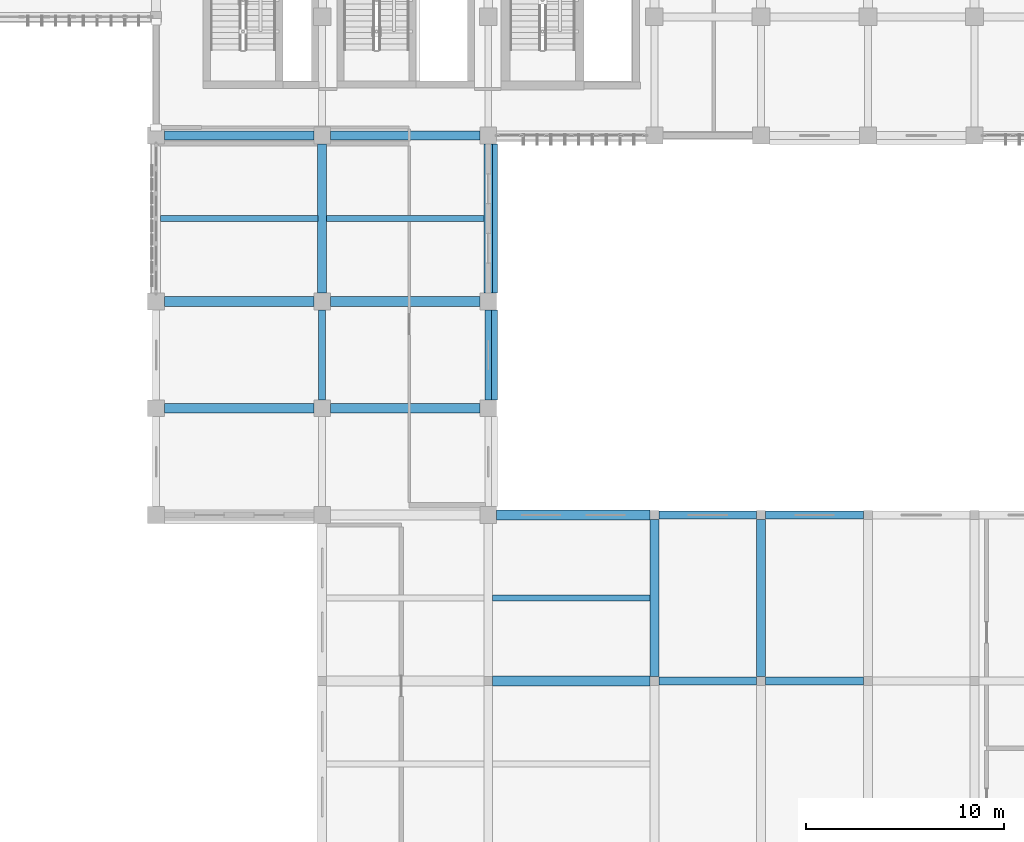
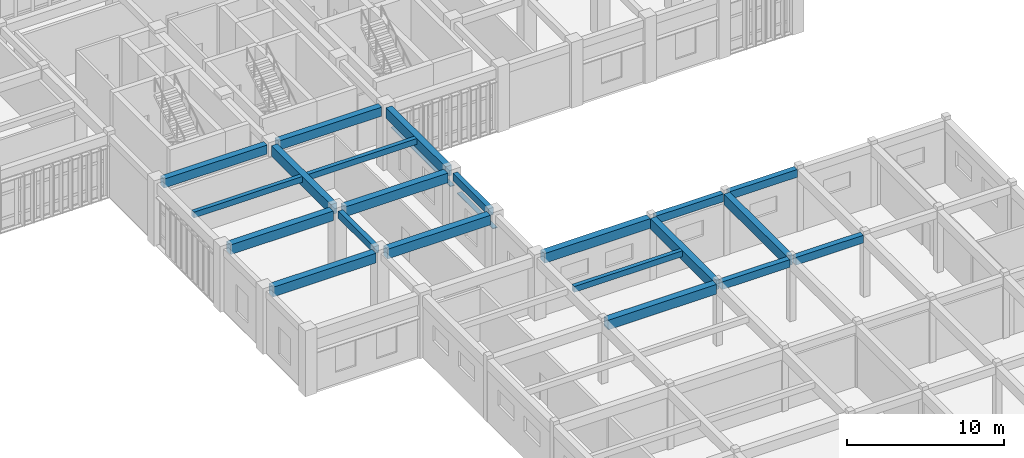
# One storey, part 58 of 106: 21 beams, 2 members.
"""IFC4 building model written with IfcOpenShell, lengths in metres."""

from ifc_helpers import new_model, si_unit, direction, frame, origin, origin_2d, place, context, subcontext, project, spatial, rectangle, hollow_rectangle, extrude, material, material_profile, profile_set, type_object, element, save


model = new_model("IFC4")

# Units and contexts
model_context = context("Model", 3, precision=1e-05, world=origin(), true_north=direction((0.0, 1.0)))
body_context = subcontext(model_context, "Body", "Model", "MODEL_VIEW")
ifc_project = project(units=[si_unit("LENGTHUNIT", "METRE"), si_unit("AREAUNIT", "SQUARE_METRE"), si_unit("VOLUMEUNIT", "CUBIC_METRE"), si_unit("PLANEANGLEUNIT", "RADIAN"), si_unit("MASSUNIT", "GRAM", prefix="KILO")], contexts=[model_context])

# Site, building, storey
site_placement = place(None, origin())
site = spatial("IfcSite", under=ifc_project, at=site_placement, CompositionType="ELEMENT")
building_placement = place(site_placement, origin())
building = spatial("IfcBuilding", under=site, at=building_placement, Name="Krzemoval Escarpment Law Courts", CompositionType="ELEMENT")
storey_placement = place(building_placement, frame((0.0, 0.0, 5.10009765625)))
storey = spatial("IfcBuildingStorey", under=building, at=storey_placement, Name="L01", CompositionType="ELEMENT", Elevation=5.10009765625)

# Beams
ifc_material_1 = material(Name="Concrete C40/50", Category="concrete")
ifc_material_profile_1 = material_profile(ifc_material_1, rectangle(XDim=0.35009765625, YDim=0.550048828125, at=origin_2d()), Name="RCB 350x550")
ifc_profile_set_1 = profile_set([ifc_material_profile_1], Name="Concrete C40/50")
beam_type_1 = type_object("IfcBeamType", Name="BM-RC-350x550", PredefinedType="BEAM", material=ifc_profile_set_1)
for number, where, z_axis, x_axis, name in (
    (1, (134.39990234375, 80.22509765625, 4.544921875), (0.0, 1.0, 0.0), (-1.0, 0.0, 0.0), "Beam FG-L01-1530"),
    (2, (142.800048828125, 80.22509765625, 4.544921875), (0.0, 1.0, 0.0), (-1.0, 0.0, 0.0), "Beam FG-L01-1546"),
):
    element("IfcBeam", number, at=place(storey_placement, frame(where, z_axis=z_axis, x_axis=x_axis)), inside=storey, type_object=beam_type_1, Name=name, PredefinedType="BEAM", context=body_context, shape_type="SweptSolid", body=[
        extrude(rectangle(XDim=0.35009765625, YDim=0.550048828125, at=origin_2d()), origin(), (0.0, 0.0, 1.0), 4.5498046875),
    ])
ifc_material_2 = material(Name="Concrete C40/50", Category="concrete")
ifc_material_profile_2 = material_profile(ifc_material_2, rectangle(XDim=0.39990234375, YDim=0.60009765625, at=origin_2d()), Name="RCB 400x600")
ifc_profile_set_2 = profile_set([ifc_material_profile_2], Name="Concrete C40/50")
beam_type_2 = type_object("IfcBeamType", Name="BM-RC-400x600", PredefinedType="BEAM", material=ifc_profile_set_2)
for number, where, z_axis, x_axis, name in (
    (3, (151.425048828125, 66.0, 4.52001953125), (1.0, 0.0, 0.0), (0.0, 1.0, 0.0), "Beam FG-L01-1267"),
    (4, (156.824951171875, 66.0, 4.52001953125), (1.0, 0.0, 0.0), (0.0, 1.0, 0.0), "Beam FG-L01-1268"),
    (5, (151.425048828125, 74.39990234375, 4.52001953125), (1.0, 0.0, 0.0), (0.0, 1.0, 0.0), "Beam FG-L01-1276"),
    (6, (156.824951171875, 74.39990234375, 4.52001953125), (1.0, 0.0, 0.0), (0.0, 1.0, 0.0), "Beam FG-L01-1277"),
):
    element("IfcBeam", number, at=place(storey_placement, frame(where, z_axis=z_axis, x_axis=x_axis)), inside=storey, type_object=beam_type_2, Name=name, PredefinedType="BEAM", context=body_context, shape_type="SweptSolid", body=[
        extrude(rectangle(XDim=0.39990234375, YDim=0.60009765625, at=origin_2d()), origin(), (0.0, 0.0, 1.0), 4.949951171875),
    ])
ifc_material_3 = material(Name="Concrete C40/50", Category="concrete")
ifc_material_profile_3 = material_profile(ifc_material_3, rectangle(XDim=0.449951171875, YDim=0.699951171875, at=origin_2d()), Name="RCB 450x700")
ifc_profile_set_3 = profile_set([ifc_material_profile_3], Name="Concrete C40/50")
beam_type_3 = type_object("IfcBeamType", Name="BM-RC-450x700", PredefinedType="BEAM", material=ifc_profile_set_3)
for number, where, z_axis, x_axis, name in (
    (7, (126.425048828125, 93.60009765625, 4.469970703125), (1.0, 0.0, 0.0), (0.0, 1.0, 0.0), "Beam FG-L01-1292"),
    (8, (134.824951171875, 93.60009765625, 4.469970703125), (1.0, 0.0, 0.0), (0.0, 1.0, 0.0), "Beam FG-L01-1293"),
):
    element("IfcBeam", number, at=place(storey_placement, frame(where, z_axis=z_axis, x_axis=x_axis)), inside=storey, type_object=beam_type_3, Name=name, PredefinedType="BEAM", context=body_context, shape_type="SweptSolid", body=[
        extrude(rectangle(XDim=0.449951171875, YDim=0.699951171875, at=origin_2d()), origin(), (0.0, 0.0, 1.0), 7.550048828125),
    ])
ifc_material_4 = material(Name="Concrete C40/50", Category="concrete")
ifc_material_profile_4 = material_profile(ifc_material_4, rectangle(XDim=0.449951171875, YDim=0.800048828125, at=origin_2d()), Name="RCB 450x800")
ifc_profile_set_4 = profile_set([ifc_material_profile_4], Name="Concrete C40/50")
beam_type_4 = type_object("IfcBeamType", Name="BM-RC-450x800", PredefinedType="BEAM", material=ifc_profile_set_4)
for number, where, z_axis, x_axis, name in (
    (9, (134.39990234375, 85.625, 4.419921875), (0.0, 1.0, 0.0), (-1.0, 0.0, 0.0), "Beam FG-L01-1531"),
    (10, (142.800048828125, 85.625, 4.419921875), (0.0, 1.0, 0.0), (-1.0, 0.0, 0.0), "Beam FG-L01-1547"),
):
    element("IfcBeam", number, at=place(storey_placement, frame(where, z_axis=z_axis, x_axis=x_axis)), inside=storey, type_object=beam_type_4, Name=name, PredefinedType="BEAM", context=body_context, shape_type="SweptSolid", body=[
        extrude(rectangle(XDim=0.449951171875, YDim=0.800048828125, at=origin_2d()), origin(), (0.0, 0.0, 1.0), 7.550048828125),
    ])
for number, where, z_axis, x_axis, name in (
    (11, (151.199951171875, 66.22509765625, 4.419921875), (0.0, 1.0, 0.0), (-1.0, 0.0, 0.0), "Beam FG-L01-1559"),
    (12, (156.60009765625, 66.22509765625, 4.419921875), (0.0, 1.0, 0.0), (-1.0, 0.0, 0.0), "Beam FG-L01-1567"),
):
    element("IfcBeam", number, at=place(storey_placement, frame(where, z_axis=z_axis, x_axis=x_axis)), inside=storey, type_object=beam_type_4, Name=name, PredefinedType="BEAM", context=body_context, shape_type="SweptSolid", body=[
        extrude(rectangle(XDim=0.449951171875, YDim=0.800048828125, at=origin_2d()), origin(), (0.0, 0.0, 1.0), 7.949951171875),
    ])
ifc_material_5 = material(Name="Concrete C40/50", Category="concrete")
ifc_material_profile_5 = material_profile(ifc_material_5, rectangle(XDim=0.5, YDim=0.75, at=origin_2d()), Name="RCB 500x750")
ifc_profile_set_5 = profile_set([ifc_material_profile_5], Name="Concrete C40/50")
beam_type_5 = type_object("IfcBeamType", Name="BM-RC-500x750", PredefinedType="BEAM", material=ifc_profile_set_5)
beam_1_placement = place(storey_placement, frame((143.02490234375, 66.0, 4.44482421875), z_axis=(1.0, 0.0, 0.0), x_axis=(0.0, 1.0, 0.0)))
element("IfcBeam", 13, at=beam_1_placement, inside=storey, type_object=beam_type_5, Name="Beam FG-L01-1266", PredefinedType="BEAM", context=body_context, shape_type="SweptSolid", body=[
    extrude(rectangle(XDim=0.5, YDim=0.75, at=origin_2d()), origin(), (0.0, 0.0, 1.0), 7.9501953125),
])
beam_2_placement = place(storey_placement, frame((143.22509765625, 74.39990234375, 4.44482421875), z_axis=(1.0, 0.0, 0.0), x_axis=(0.0, 1.0, 0.0)))
element("IfcBeam", 14, at=beam_2_placement, inside=storey, type_object=beam_type_5, Name="Beam FG-L01-1275", PredefinedType="BEAM", context=body_context, shape_type="SweptSolid", body=[
    extrude(rectangle(XDim=0.5, YDim=0.75, at=origin_2d()), origin(), (0.0, 0.0, 1.0), 7.75),
])
for number, where, z_axis, x_axis, name in (
    (15, (126.425048828125, 79.800048828125, 4.44482421875), (1.0, 0.0, 0.0), (0.0, 1.0, 0.0), "Beam FG-L01-1282"),
    (16, (134.824951171875, 79.800048828125, 4.44482421875), (1.0, 0.0, 0.0), (0.0, 1.0, 0.0), "Beam FG-L01-1283"),
    (17, (126.425048828125, 85.199951171875, 4.44482421875), (1.0, 0.0, 0.0), (0.0, 1.0, 0.0), "Beam FG-L01-1286"),
    (18, (134.824951171875, 85.199951171875, 4.44482421875), (1.0, 0.0, 0.0), (0.0, 1.0, 0.0), "Beam FG-L01-1287"),
):
    element("IfcBeam", number, at=place(storey_placement, frame(where, z_axis=z_axis, x_axis=x_axis)), inside=storey, type_object=beam_type_5, Name=name, PredefinedType="BEAM", context=body_context, shape_type="SweptSolid", body=[
        extrude(rectangle(XDim=0.5, YDim=0.75, at=origin_2d()), origin(), (0.0, 0.0, 1.0), 7.550048828125),
    ])
ifc_material_6 = material(Name="Concrete C40/50", Category="concrete")
ifc_material_profile_6 = material_profile(ifc_material_6, rectangle(XDim=0.300048828125, YDim=0.449951171875, at=origin_2d()), Name="RCB 300x450")
ifc_profile_set_6 = profile_set([ifc_material_profile_6], Name="Concrete C40/50")
beam_type_6 = type_object("IfcBeamType", Name="JST-RC-300x450", PredefinedType="JOIST", material=ifc_profile_set_6)
for number, where, z_axis, x_axis, name in (
    (19, (126.22509765625, 89.39990234375, 4.594970703125), (1.0, 0.0, 0.0), (0.0, 1.0, 0.0), "Secondary Joist FJ-L01-1685"),
    (20, (134.625, 89.39990234375, 4.594970703125), (1.0, 0.0, 0.0), (0.0, 1.0, 0.0), "Secondary Joist FJ-L01-1694"),
):
    element("IfcBeam", number, at=place(storey_placement, frame(where, z_axis=z_axis, x_axis=x_axis)), inside=storey, type_object=beam_type_6, Name=name, PredefinedType="JOIST", context=body_context, shape_type="SweptSolid", body=[
        extrude(rectangle(XDim=0.300048828125, YDim=0.449951171875, at=origin_2d()), origin(), (0.0, 0.0, 1.0), 7.949951171875),
    ])
beam_3_placement = place(storey_placement, frame((143.02490234375, 70.199951171875, 4.594970703125), z_axis=(1.0, 0.0, 0.0), x_axis=(0.0, 1.0, 0.0)))
element("IfcBeam", 21, at=beam_3_placement, inside=storey, type_object=beam_type_6, Name="Secondary Joist FJ-L01-1702", PredefinedType="JOIST", context=body_context, shape_type="SweptSolid", body=[
    extrude(rectangle(XDim=0.300048828125, YDim=0.449951171875, at=origin_2d()), origin(), (0.0, 0.0, 1.0), 7.9501953125),
])

# Members
ifc_material_7 = material(Name="Anodised Aluminium Alloy 6063-T6", Category="aluminium")
ifc_material_profile_7 = material_profile(ifc_material_7, hollow_rectangle(XDim=0.06005859375, YDim=0.320068359375, WallThickness=0.00390625, at=origin_2d()), Name="ALU LVR 60x320")
ifc_profile_set_7 = profile_set([ifc_material_profile_7], Name="Anodised Aluminium Alloy 6063-T6")
member_type = type_object("IfcMemberType", Name="LVR-ALU-320", PredefinedType="USERDEFINED", material=ifc_profile_set_7)
member_1_placement = place(storey_placement, frame((143.10009765625, 93.175048828125, 3.159912109375), z_axis=(0.0, -1.0, 0.0), x_axis=(0.0, 0.0, 1.0)))
element("IfcMember", 22, at=member_1_placement, inside=storey, type_object=member_type, Name="Window Sunshade Louvre FLV-L01-0125", ObjectType="SUNSHADE_LOUVRE", PredefinedType="USERDEFINED", context=body_context, shape_type="SweptSolid", body=[
    extrude(hollow_rectangle(XDim=0.06005859375, YDim=0.320068359375, WallThickness=0.00390625, at=origin_2d()), origin(), (0.0, 0.0, 1.0), 7.550048828125),
])
member_2_placement = place(storey_placement, frame((143.10009765625, 84.77490234375, 3.159912109375), z_axis=(0.0, -1.0, 0.0), x_axis=(0.0, 0.0, 1.0)))
element("IfcMember", 23, at=member_2_placement, inside=storey, type_object=member_type, Name="Window Sunshade Louvre FLV-L01-0126", ObjectType="SUNSHADE_LOUVRE", PredefinedType="USERDEFINED", context=body_context, shape_type="SweptSolid", body=[
    extrude(hollow_rectangle(XDim=0.06005859375, YDim=0.320068359375, WallThickness=0.00390625, at=origin_2d()), origin(), (0.0, 0.0, 1.0), 4.5498046875),
])

save(model, "model.ifc")
